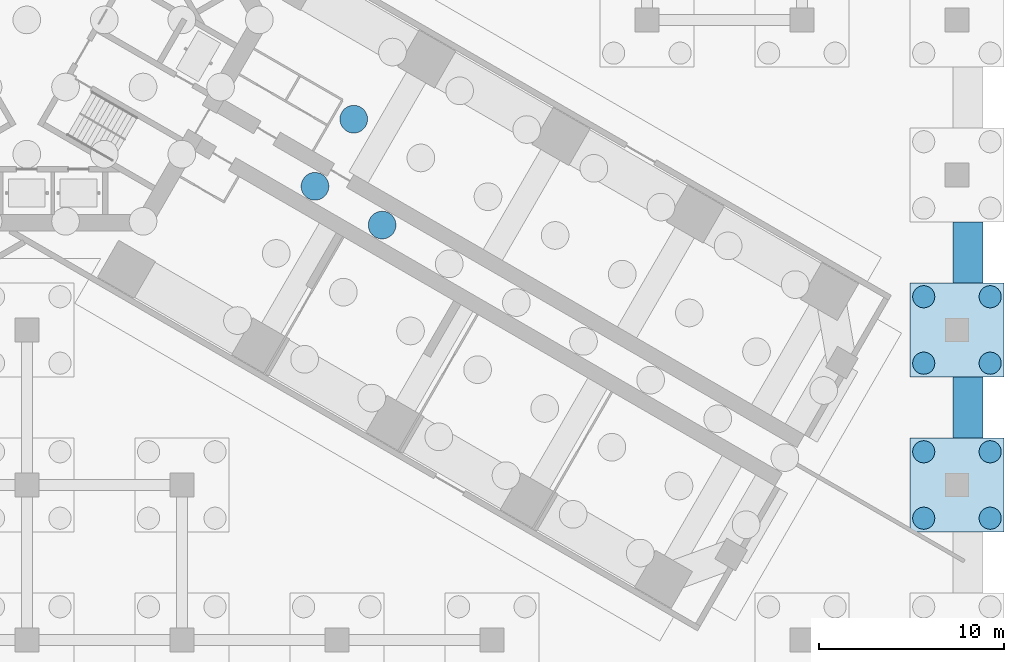
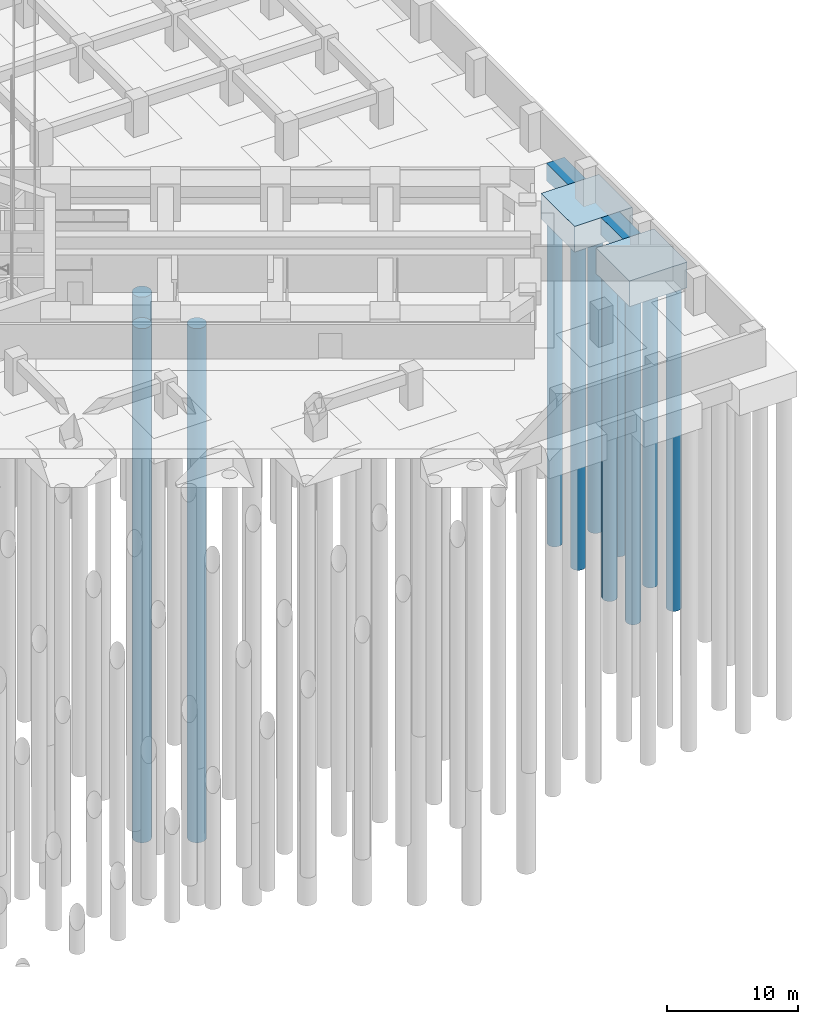
# One storey, part 25 of 73: 11 piles, 4 footings.
"""IFC4 building model written with IfcOpenShell, lengths in metres."""

from ifc_helpers import new_model, si_unit, direction, frame, origin, origin_2d, place, context, subcontext, project, spatial, polyline, circle, outline, extrude, material, material_profile, profile_set, type_object, element, save


model = new_model("IFC4")

# Units and contexts
model_context = context("Model", 3, precision=1e-05, world=origin(), true_north=direction((0.0, 1.0)))
body_context = subcontext(model_context, "Body", "Model", "MODEL_VIEW")
ifc_project = project(units=[si_unit("LENGTHUNIT", "METRE"), si_unit("AREAUNIT", "SQUARE_METRE"), si_unit("VOLUMEUNIT", "CUBIC_METRE"), si_unit("PLANEANGLEUNIT", "RADIAN"), si_unit("MASSUNIT", "GRAM", prefix="KILO")], contexts=[model_context])

# Site, building, storey
site_placement = place(None, origin())
site = spatial("IfcSite", under=ifc_project, at=site_placement, CompositionType="ELEMENT")
building_placement = place(site_placement, origin())
building = spatial("IfcBuilding", under=site, at=building_placement, Name="Impinga Residences", CompositionType="ELEMENT")
storey_placement = place(building_placement, frame((0.0, 0.0, -10.5)))
storey = spatial("IfcBuildingStorey", under=building, at=storey_placement, Name="B3", CompositionType="ELEMENT", Elevation=-10.5)

# Piles
ifc_material_1 = material(Name="Concrete C35/45", Category="concrete")
ifc_material_profile_1 = material_profile(ifc_material_1, circle(Radius=0.75, at=origin_2d()), Name="D1500")
ifc_profile_set_1 = profile_set([ifc_material_profile_1], Name="Concrete C35/45")
pile_type_1 = type_object("IfcPileType", Name="BP1 bored pile D1500", PredefinedType="BORED", material=ifc_profile_set_1)
pile_1_placement = place(storey_placement, frame((19.253173828125, -11.11572265625, -4.0), z_axis=(0.0, 0.0, -1.0), x_axis=(1.0, 0.0, 0.0)))
element("IfcPile", 1, at=pile_1_placement, inside=storey, type_object=pile_type_1, Name="Raft pile BP1-058", PredefinedType="BORED", context=body_context, shape_type="SweptSolid", body=[
    extrude(outline(polyline([(0.75, 0.0), (0.746337890625, 0.073486328125), (0.735595703125, 0.146240234375), (0.7177734375, 0.2177734375), (0.69287109375, 0.287109375), (0.661376953125, 0.353515625), (0.62353515625, 0.416748046875), (0.579833984375, 0.475830078125), (0.5302734375, 0.5302734375), (0.475830078125, 0.579833984375), (0.416748046875, 0.62353515625), (0.353515625, 0.661376953125), (0.287109375, 0.69287109375), (0.2177734375, 0.7177734375), (0.146240234375, 0.735595703125), (0.073486328125, 0.746337890625), (0.0, 0.75), (-0.073486328125, 0.746337890625), (-0.146240234375, 0.735595703125), (-0.2177734375, 0.7177734375), (-0.287109375, 0.69287109375), (-0.353515625, 0.661376953125), (-0.416748046875, 0.62353515625), (-0.475830078125, 0.579833984375), (-0.5302734375, 0.5302734375), (-0.579833984375, 0.475830078125), (-0.62353515625, 0.416748046875), (-0.661376953125, 0.353515625), (-0.69287109375, 0.287109375), (-0.7177734375, 0.2177734375), (-0.735595703125, 0.146240234375), (-0.746337890625, 0.073486328125), (-0.75, 0.0), (-0.746337890625, -0.073486328125), (-0.735595703125, -0.146240234375), (-0.7177734375, -0.2177734375), (-0.69287109375, -0.287109375), (-0.661376953125, -0.353515625), (-0.62353515625, -0.416748046875), (-0.579833984375, -0.475830078125), (-0.5302734375, -0.5302734375), (-0.475830078125, -0.579833984375), (-0.416748046875, -0.62353515625), (-0.353515625, -0.661376953125), (-0.287109375, -0.69287109375), (-0.2177734375, -0.7177734375), (-0.146240234375, -0.735595703125), (-0.073486328125, -0.746337890625), (0.0, -0.75), (0.073486328125, -0.746337890625), (0.146240234375, -0.735595703125), (0.2177734375, -0.7177734375), (0.287109375, -0.69287109375), (0.353515625, -0.661376953125), (0.416748046875, -0.62353515625), (0.475830078125, -0.579833984375), (0.5302734375, -0.5302734375), (0.579833984375, -0.475830078125), (0.62353515625, -0.416748046875), (0.661376953125, -0.353515625), (0.69287109375, -0.287109375), (0.7177734375, -0.2177734375), (0.735595703125, -0.146240234375), (0.746337890625, -0.073486328125), (0.75, 0.0)])), origin(), (0.0, 0.0, 1.0), 48.0),
])
pile_2_placement = place(storey_placement, frame((15.61572265625, -9.015869140625, -4.0), z_axis=(0.0, 0.0, -1.0), x_axis=(1.0, 0.0, 0.0)))
element("IfcPile", 2, at=pile_2_placement, inside=storey, type_object=pile_type_1, Name="Raft pile BP1-068", PredefinedType="BORED", context=body_context, shape_type="SweptSolid", body=[
    extrude(outline(polyline([(0.75, 0.0), (0.746337890625, 0.073486328125), (0.735595703125, 0.146240234375), (0.7177734375, 0.2177734375), (0.69287109375, 0.287109375), (0.661376953125, 0.353515625), (0.62353515625, 0.416748046875), (0.579833984375, 0.475830078125), (0.5302734375, 0.5302734375), (0.475830078125, 0.579833984375), (0.416748046875, 0.62353515625), (0.353515625, 0.661376953125), (0.287109375, 0.69287109375), (0.2177734375, 0.7177734375), (0.146240234375, 0.735595703125), (0.073486328125, 0.746337890625), (0.0, 0.75), (-0.073486328125, 0.746337890625), (-0.146240234375, 0.735595703125), (-0.2177734375, 0.7177734375), (-0.287109375, 0.69287109375), (-0.353515625, 0.661376953125), (-0.416748046875, 0.62353515625), (-0.475830078125, 0.579833984375), (-0.5302734375, 0.5302734375), (-0.579833984375, 0.475830078125), (-0.62353515625, 0.416748046875), (-0.661376953125, 0.353515625), (-0.69287109375, 0.287109375), (-0.7177734375, 0.2177734375), (-0.735595703125, 0.146240234375), (-0.746337890625, 0.073486328125), (-0.75, 0.0), (-0.746337890625, -0.073486328125), (-0.735595703125, -0.146240234375), (-0.7177734375, -0.2177734375), (-0.69287109375, -0.287109375), (-0.661376953125, -0.353515625), (-0.62353515625, -0.416748046875), (-0.579833984375, -0.475830078125), (-0.5302734375, -0.5302734375), (-0.475830078125, -0.579833984375), (-0.416748046875, -0.62353515625), (-0.353515625, -0.661376953125), (-0.287109375, -0.69287109375), (-0.2177734375, -0.7177734375), (-0.146240234375, -0.735595703125), (-0.073486328125, -0.746337890625), (0.0, -0.75), (0.073486328125, -0.746337890625), (0.146240234375, -0.735595703125), (0.2177734375, -0.7177734375), (0.287109375, -0.69287109375), (0.353515625, -0.661376953125), (0.416748046875, -0.62353515625), (0.475830078125, -0.579833984375), (0.5302734375, -0.5302734375), (0.579833984375, -0.475830078125), (0.62353515625, -0.416748046875), (0.661376953125, -0.353515625), (0.69287109375, -0.287109375), (0.7177734375, -0.2177734375), (0.735595703125, -0.146240234375), (0.746337890625, -0.073486328125), (0.75, 0.0)])), origin(), (0.0, 0.0, 1.0), 48.0),
])
pile_3_placement = place(storey_placement, frame((17.7158203125, -5.37841796875, -4.0), z_axis=(0.0, 0.0, -1.0), x_axis=(1.0, 0.0, 0.0)))
element("IfcPile", 3, at=pile_3_placement, inside=storey, type_object=pile_type_1, Name="Raft pile BP1-081", PredefinedType="BORED", context=body_context, shape_type="SweptSolid", body=[
    extrude(outline(polyline([(0.75, 0.0), (0.746337890625, 0.073486328125), (0.735595703125, 0.146240234375), (0.7177734375, 0.2177734375), (0.69287109375, 0.287109375), (0.661376953125, 0.353515625), (0.62353515625, 0.416748046875), (0.579833984375, 0.475830078125), (0.5302734375, 0.5302734375), (0.475830078125, 0.579833984375), (0.416748046875, 0.62353515625), (0.353515625, 0.661376953125), (0.287109375, 0.69287109375), (0.2177734375, 0.7177734375), (0.146240234375, 0.735595703125), (0.073486328125, 0.746337890625), (0.0, 0.75), (-0.073486328125, 0.746337890625), (-0.146240234375, 0.735595703125), (-0.2177734375, 0.7177734375), (-0.287109375, 0.69287109375), (-0.353515625, 0.661376953125), (-0.416748046875, 0.62353515625), (-0.475830078125, 0.579833984375), (-0.5302734375, 0.5302734375), (-0.579833984375, 0.475830078125), (-0.62353515625, 0.416748046875), (-0.661376953125, 0.353515625), (-0.69287109375, 0.287109375), (-0.7177734375, 0.2177734375), (-0.735595703125, 0.146240234375), (-0.746337890625, 0.073486328125), (-0.75, 0.0), (-0.746337890625, -0.073486328125), (-0.735595703125, -0.146240234375), (-0.7177734375, -0.2177734375), (-0.69287109375, -0.287109375), (-0.661376953125, -0.353515625), (-0.62353515625, -0.416748046875), (-0.579833984375, -0.475830078125), (-0.5302734375, -0.5302734375), (-0.475830078125, -0.579833984375), (-0.416748046875, -0.62353515625), (-0.353515625, -0.661376953125), (-0.287109375, -0.69287109375), (-0.2177734375, -0.7177734375), (-0.146240234375, -0.735595703125), (-0.073486328125, -0.746337890625), (0.0, -0.75), (0.073486328125, -0.746337890625), (0.146240234375, -0.735595703125), (0.2177734375, -0.7177734375), (0.287109375, -0.69287109375), (0.353515625, -0.661376953125), (0.416748046875, -0.62353515625), (0.475830078125, -0.579833984375), (0.5302734375, -0.5302734375), (0.579833984375, -0.475830078125), (0.62353515625, -0.416748046875), (0.661376953125, -0.353515625), (0.69287109375, -0.287109375), (0.7177734375, -0.2177734375), (0.735595703125, -0.146240234375), (0.746337890625, -0.073486328125), (0.75, 0.0)])), origin(), (0.0, 0.0, 1.0), 48.0),
])
ifc_material_profile_2 = material_profile(ifc_material_1, circle(Radius=0.60009765625, at=origin_2d()), Name="D1200")
ifc_profile_set_2 = profile_set([ifc_material_profile_2], Name="Concrete C35/45")
pile_type_2 = type_object("IfcPileType", Name="BP2 bored pile D1200", PredefinedType="BORED", material=ifc_profile_set_2)
pile_4_placement = place(storey_placement, frame((48.60009765625, -27.0, -2.39990234375), z_axis=(0.0, 0.0, -1.0), x_axis=(1.0, 0.0, 0.0)))
element("IfcPile", 4, at=pile_4_placement, inside=storey, type_object=pile_type_2, Name="Cap pile BP2 13/C-1", PredefinedType="BORED", context=body_context, shape_type="SweptSolid", body=[
    extrude(outline(polyline([(0.60009765625, 0.0), (0.59716796875, 0.058837890625), (0.58837890625, 0.116943359375), (0.57421875, 0.174072265625), (0.554443359375, 0.2294921875), (0.529052734375, 0.282958984375), (0.498779296875, 0.333251953125), (0.4638671875, 0.380615234375), (0.42431640625, 0.42431640625), (0.380615234375, 0.4638671875), (0.333251953125, 0.498779296875), (0.282958984375, 0.529052734375), (0.2294921875, 0.554443359375), (0.174072265625, 0.57421875), (0.116943359375, 0.58837890625), (0.058837890625, 0.59716796875), (0.0, 0.60009765625), (-0.058837890625, 0.59716796875), (-0.116943359375, 0.58837890625), (-0.174072265625, 0.57421875), (-0.2294921875, 0.554443359375), (-0.282958984375, 0.529052734375), (-0.333251953125, 0.498779296875), (-0.380615234375, 0.4638671875), (-0.42431640625, 0.42431640625), (-0.4638671875, 0.380615234375), (-0.498779296875, 0.333251953125), (-0.529052734375, 0.282958984375), (-0.554443359375, 0.2294921875), (-0.57421875, 0.174072265625), (-0.58837890625, 0.116943359375), (-0.59716796875, 0.058837890625), (-0.60009765625, 0.0), (-0.59716796875, -0.058837890625), (-0.58837890625, -0.116943359375), (-0.57421875, -0.174072265625), (-0.554443359375, -0.2294921875), (-0.529052734375, -0.282958984375), (-0.498779296875, -0.333251953125), (-0.4638671875, -0.380615234375), (-0.42431640625, -0.42431640625), (-0.380615234375, -0.4638671875), (-0.333251953125, -0.498779296875), (-0.282958984375, -0.529052734375), (-0.2294921875, -0.554443359375), (-0.174072265625, -0.57421875), (-0.116943359375, -0.58837890625), (-0.058837890625, -0.59716796875), (0.0, -0.60009765625), (0.058837890625, -0.59716796875), (0.116943359375, -0.58837890625), (0.174072265625, -0.57421875), (0.2294921875, -0.554443359375), (0.282958984375, -0.529052734375), (0.333251953125, -0.498779296875), (0.380615234375, -0.4638671875), (0.42431640625, -0.42431640625), (0.4638671875, -0.380615234375), (0.498779296875, -0.333251953125), (0.529052734375, -0.282958984375), (0.554443359375, -0.2294921875), (0.57421875, -0.174072265625), (0.58837890625, -0.116943359375), (0.59716796875, -0.058837890625), (0.60009765625, 0.0)])), origin(), (0.0, 0.0, 1.0), 30.0),
])
pile_5_placement = place(storey_placement, frame((52.199951171875, -27.0, -2.39990234375), z_axis=(0.0, 0.0, -1.0), x_axis=(1.0, 0.0, 0.0)))
element("IfcPile", 5, at=pile_5_placement, inside=storey, type_object=pile_type_2, Name="Cap pile BP2 13/C-2", PredefinedType="BORED", context=body_context, shape_type="SweptSolid", body=[
    extrude(outline(polyline([(0.60009765625, 0.0), (0.59716796875, 0.058837890625), (0.58837890625, 0.116943359375), (0.57421875, 0.174072265625), (0.554443359375, 0.2294921875), (0.529052734375, 0.282958984375), (0.498779296875, 0.333251953125), (0.4638671875, 0.380615234375), (0.42431640625, 0.42431640625), (0.380615234375, 0.4638671875), (0.333251953125, 0.498779296875), (0.282958984375, 0.529052734375), (0.2294921875, 0.554443359375), (0.174072265625, 0.57421875), (0.116943359375, 0.58837890625), (0.058837890625, 0.59716796875), (0.0, 0.60009765625), (-0.058837890625, 0.59716796875), (-0.116943359375, 0.58837890625), (-0.174072265625, 0.57421875), (-0.2294921875, 0.554443359375), (-0.282958984375, 0.529052734375), (-0.333251953125, 0.498779296875), (-0.380615234375, 0.4638671875), (-0.42431640625, 0.42431640625), (-0.4638671875, 0.380615234375), (-0.498779296875, 0.333251953125), (-0.529052734375, 0.282958984375), (-0.554443359375, 0.2294921875), (-0.57421875, 0.174072265625), (-0.58837890625, 0.116943359375), (-0.59716796875, 0.058837890625), (-0.60009765625, 0.0), (-0.59716796875, -0.058837890625), (-0.58837890625, -0.116943359375), (-0.57421875, -0.174072265625), (-0.554443359375, -0.2294921875), (-0.529052734375, -0.282958984375), (-0.498779296875, -0.333251953125), (-0.4638671875, -0.380615234375), (-0.42431640625, -0.42431640625), (-0.380615234375, -0.4638671875), (-0.333251953125, -0.498779296875), (-0.282958984375, -0.529052734375), (-0.2294921875, -0.554443359375), (-0.174072265625, -0.57421875), (-0.116943359375, -0.58837890625), (-0.058837890625, -0.59716796875), (0.0, -0.60009765625), (0.058837890625, -0.59716796875), (0.116943359375, -0.58837890625), (0.174072265625, -0.57421875), (0.2294921875, -0.554443359375), (0.282958984375, -0.529052734375), (0.333251953125, -0.498779296875), (0.380615234375, -0.4638671875), (0.42431640625, -0.42431640625), (0.4638671875, -0.380615234375), (0.498779296875, -0.333251953125), (0.529052734375, -0.282958984375), (0.554443359375, -0.2294921875), (0.57421875, -0.174072265625), (0.58837890625, -0.116943359375), (0.59716796875, -0.058837890625), (0.60009765625, 0.0)])), origin(), (0.0, 0.0, 1.0), 30.0),
])
pile_6_placement = place(storey_placement, frame((52.199951171875, -23.39990234375, -2.39990234375), z_axis=(0.0, 0.0, -1.0), x_axis=(1.0, 0.0, 0.0)))
element("IfcPile", 6, at=pile_6_placement, inside=storey, type_object=pile_type_2, Name="Cap pile BP2 13/C-3", PredefinedType="BORED", context=body_context, shape_type="SweptSolid", body=[
    extrude(outline(polyline([(0.60009765625, 0.0), (0.59716796875, 0.058837890625), (0.58837890625, 0.116943359375), (0.57421875, 0.174072265625), (0.554443359375, 0.2294921875), (0.529052734375, 0.282958984375), (0.498779296875, 0.333251953125), (0.4638671875, 0.380615234375), (0.42431640625, 0.42431640625), (0.380615234375, 0.4638671875), (0.333251953125, 0.498779296875), (0.282958984375, 0.529052734375), (0.2294921875, 0.554443359375), (0.174072265625, 0.57421875), (0.116943359375, 0.58837890625), (0.058837890625, 0.59716796875), (0.0, 0.60009765625), (-0.058837890625, 0.59716796875), (-0.116943359375, 0.58837890625), (-0.174072265625, 0.57421875), (-0.2294921875, 0.554443359375), (-0.282958984375, 0.529052734375), (-0.333251953125, 0.498779296875), (-0.380615234375, 0.4638671875), (-0.42431640625, 0.42431640625), (-0.4638671875, 0.380615234375), (-0.498779296875, 0.333251953125), (-0.529052734375, 0.282958984375), (-0.554443359375, 0.2294921875), (-0.57421875, 0.174072265625), (-0.58837890625, 0.116943359375), (-0.59716796875, 0.058837890625), (-0.60009765625, 0.0), (-0.59716796875, -0.058837890625), (-0.58837890625, -0.116943359375), (-0.57421875, -0.174072265625), (-0.554443359375, -0.2294921875), (-0.529052734375, -0.282958984375), (-0.498779296875, -0.333251953125), (-0.4638671875, -0.380615234375), (-0.42431640625, -0.42431640625), (-0.380615234375, -0.4638671875), (-0.333251953125, -0.498779296875), (-0.282958984375, -0.529052734375), (-0.2294921875, -0.554443359375), (-0.174072265625, -0.57421875), (-0.116943359375, -0.58837890625), (-0.058837890625, -0.59716796875), (0.0, -0.60009765625), (0.058837890625, -0.59716796875), (0.116943359375, -0.58837890625), (0.174072265625, -0.57421875), (0.2294921875, -0.554443359375), (0.282958984375, -0.529052734375), (0.333251953125, -0.498779296875), (0.380615234375, -0.4638671875), (0.42431640625, -0.42431640625), (0.4638671875, -0.380615234375), (0.498779296875, -0.333251953125), (0.529052734375, -0.282958984375), (0.554443359375, -0.2294921875), (0.57421875, -0.174072265625), (0.58837890625, -0.116943359375), (0.59716796875, -0.058837890625), (0.60009765625, 0.0)])), origin(), (0.0, 0.0, 1.0), 30.0),
])
pile_7_placement = place(storey_placement, frame((48.60009765625, -23.39990234375, -2.39990234375), z_axis=(0.0, 0.0, -1.0), x_axis=(1.0, 0.0, 0.0)))
element("IfcPile", 7, at=pile_7_placement, inside=storey, type_object=pile_type_2, Name="Cap pile BP2 13/C-4", PredefinedType="BORED", context=body_context, shape_type="SweptSolid", body=[
    extrude(outline(polyline([(0.60009765625, 0.0), (0.59716796875, 0.058837890625), (0.58837890625, 0.116943359375), (0.57421875, 0.174072265625), (0.554443359375, 0.2294921875), (0.529052734375, 0.282958984375), (0.498779296875, 0.333251953125), (0.4638671875, 0.380615234375), (0.42431640625, 0.42431640625), (0.380615234375, 0.4638671875), (0.333251953125, 0.498779296875), (0.282958984375, 0.529052734375), (0.2294921875, 0.554443359375), (0.174072265625, 0.57421875), (0.116943359375, 0.58837890625), (0.058837890625, 0.59716796875), (0.0, 0.60009765625), (-0.058837890625, 0.59716796875), (-0.116943359375, 0.58837890625), (-0.174072265625, 0.57421875), (-0.2294921875, 0.554443359375), (-0.282958984375, 0.529052734375), (-0.333251953125, 0.498779296875), (-0.380615234375, 0.4638671875), (-0.42431640625, 0.42431640625), (-0.4638671875, 0.380615234375), (-0.498779296875, 0.333251953125), (-0.529052734375, 0.282958984375), (-0.554443359375, 0.2294921875), (-0.57421875, 0.174072265625), (-0.58837890625, 0.116943359375), (-0.59716796875, 0.058837890625), (-0.60009765625, 0.0), (-0.59716796875, -0.058837890625), (-0.58837890625, -0.116943359375), (-0.57421875, -0.174072265625), (-0.554443359375, -0.2294921875), (-0.529052734375, -0.282958984375), (-0.498779296875, -0.333251953125), (-0.4638671875, -0.380615234375), (-0.42431640625, -0.42431640625), (-0.380615234375, -0.4638671875), (-0.333251953125, -0.498779296875), (-0.282958984375, -0.529052734375), (-0.2294921875, -0.554443359375), (-0.174072265625, -0.57421875), (-0.116943359375, -0.58837890625), (-0.058837890625, -0.59716796875), (0.0, -0.60009765625), (0.058837890625, -0.59716796875), (0.116943359375, -0.58837890625), (0.174072265625, -0.57421875), (0.2294921875, -0.554443359375), (0.282958984375, -0.529052734375), (0.333251953125, -0.498779296875), (0.380615234375, -0.4638671875), (0.42431640625, -0.42431640625), (0.4638671875, -0.380615234375), (0.498779296875, -0.333251953125), (0.529052734375, -0.282958984375), (0.554443359375, -0.2294921875), (0.57421875, -0.174072265625), (0.58837890625, -0.116943359375), (0.59716796875, -0.058837890625), (0.60009765625, 0.0)])), origin(), (0.0, 0.0, 1.0), 30.0),
])
pile_8_placement = place(storey_placement, frame((48.60009765625, -18.60009765625, -2.39990234375), z_axis=(0.0, 0.0, -1.0), x_axis=(1.0, 0.0, 0.0)))
element("IfcPile", 8, at=pile_8_placement, inside=storey, type_object=pile_type_2, Name="Cap pile BP2 13/D-1", PredefinedType="BORED", context=body_context, shape_type="SweptSolid", body=[
    extrude(outline(polyline([(0.60009765625, 0.0), (0.59716796875, 0.058837890625), (0.58837890625, 0.116943359375), (0.57421875, 0.174072265625), (0.554443359375, 0.2294921875), (0.529052734375, 0.282958984375), (0.498779296875, 0.333251953125), (0.4638671875, 0.380615234375), (0.42431640625, 0.42431640625), (0.380615234375, 0.4638671875), (0.333251953125, 0.498779296875), (0.282958984375, 0.529052734375), (0.2294921875, 0.554443359375), (0.174072265625, 0.57421875), (0.116943359375, 0.58837890625), (0.058837890625, 0.59716796875), (0.0, 0.60009765625), (-0.058837890625, 0.59716796875), (-0.116943359375, 0.58837890625), (-0.174072265625, 0.57421875), (-0.2294921875, 0.554443359375), (-0.282958984375, 0.529052734375), (-0.333251953125, 0.498779296875), (-0.380615234375, 0.4638671875), (-0.42431640625, 0.42431640625), (-0.4638671875, 0.380615234375), (-0.498779296875, 0.333251953125), (-0.529052734375, 0.282958984375), (-0.554443359375, 0.2294921875), (-0.57421875, 0.174072265625), (-0.58837890625, 0.116943359375), (-0.59716796875, 0.058837890625), (-0.60009765625, 0.0), (-0.59716796875, -0.058837890625), (-0.58837890625, -0.116943359375), (-0.57421875, -0.174072265625), (-0.554443359375, -0.2294921875), (-0.529052734375, -0.282958984375), (-0.498779296875, -0.333251953125), (-0.4638671875, -0.380615234375), (-0.42431640625, -0.42431640625), (-0.380615234375, -0.4638671875), (-0.333251953125, -0.498779296875), (-0.282958984375, -0.529052734375), (-0.2294921875, -0.554443359375), (-0.174072265625, -0.57421875), (-0.116943359375, -0.58837890625), (-0.058837890625, -0.59716796875), (0.0, -0.60009765625), (0.058837890625, -0.59716796875), (0.116943359375, -0.58837890625), (0.174072265625, -0.57421875), (0.2294921875, -0.554443359375), (0.282958984375, -0.529052734375), (0.333251953125, -0.498779296875), (0.380615234375, -0.4638671875), (0.42431640625, -0.42431640625), (0.4638671875, -0.380615234375), (0.498779296875, -0.333251953125), (0.529052734375, -0.282958984375), (0.554443359375, -0.2294921875), (0.57421875, -0.174072265625), (0.58837890625, -0.116943359375), (0.59716796875, -0.058837890625), (0.60009765625, 0.0)])), origin(), (0.0, 0.0, 1.0), 30.0),
])
pile_9_placement = place(storey_placement, frame((52.199951171875, -18.60009765625, -2.39990234375), z_axis=(0.0, 0.0, -1.0), x_axis=(1.0, 0.0, 0.0)))
element("IfcPile", 9, at=pile_9_placement, inside=storey, type_object=pile_type_2, Name="Cap pile BP2 13/D-2", PredefinedType="BORED", context=body_context, shape_type="SweptSolid", body=[
    extrude(outline(polyline([(0.60009765625, 0.0), (0.59716796875, 0.058837890625), (0.58837890625, 0.116943359375), (0.57421875, 0.174072265625), (0.554443359375, 0.2294921875), (0.529052734375, 0.282958984375), (0.498779296875, 0.333251953125), (0.4638671875, 0.380615234375), (0.42431640625, 0.42431640625), (0.380615234375, 0.4638671875), (0.333251953125, 0.498779296875), (0.282958984375, 0.529052734375), (0.2294921875, 0.554443359375), (0.174072265625, 0.57421875), (0.116943359375, 0.58837890625), (0.058837890625, 0.59716796875), (0.0, 0.60009765625), (-0.058837890625, 0.59716796875), (-0.116943359375, 0.58837890625), (-0.174072265625, 0.57421875), (-0.2294921875, 0.554443359375), (-0.282958984375, 0.529052734375), (-0.333251953125, 0.498779296875), (-0.380615234375, 0.4638671875), (-0.42431640625, 0.42431640625), (-0.4638671875, 0.380615234375), (-0.498779296875, 0.333251953125), (-0.529052734375, 0.282958984375), (-0.554443359375, 0.2294921875), (-0.57421875, 0.174072265625), (-0.58837890625, 0.116943359375), (-0.59716796875, 0.058837890625), (-0.60009765625, 0.0), (-0.59716796875, -0.058837890625), (-0.58837890625, -0.116943359375), (-0.57421875, -0.174072265625), (-0.554443359375, -0.2294921875), (-0.529052734375, -0.282958984375), (-0.498779296875, -0.333251953125), (-0.4638671875, -0.380615234375), (-0.42431640625, -0.42431640625), (-0.380615234375, -0.4638671875), (-0.333251953125, -0.498779296875), (-0.282958984375, -0.529052734375), (-0.2294921875, -0.554443359375), (-0.174072265625, -0.57421875), (-0.116943359375, -0.58837890625), (-0.058837890625, -0.59716796875), (0.0, -0.60009765625), (0.058837890625, -0.59716796875), (0.116943359375, -0.58837890625), (0.174072265625, -0.57421875), (0.2294921875, -0.554443359375), (0.282958984375, -0.529052734375), (0.333251953125, -0.498779296875), (0.380615234375, -0.4638671875), (0.42431640625, -0.42431640625), (0.4638671875, -0.380615234375), (0.498779296875, -0.333251953125), (0.529052734375, -0.282958984375), (0.554443359375, -0.2294921875), (0.57421875, -0.174072265625), (0.58837890625, -0.116943359375), (0.59716796875, -0.058837890625), (0.60009765625, 0.0)])), origin(), (0.0, 0.0, 1.0), 30.0),
])
pile_10_placement = place(storey_placement, frame((52.199951171875, -15.0, -2.39990234375), z_axis=(0.0, 0.0, -1.0), x_axis=(1.0, 0.0, 0.0)))
element("IfcPile", 10, at=pile_10_placement, inside=storey, type_object=pile_type_2, Name="Cap pile BP2 13/D-3", PredefinedType="BORED", context=body_context, shape_type="SweptSolid", body=[
    extrude(outline(polyline([(0.60009765625, 0.0), (0.59716796875, 0.058837890625), (0.58837890625, 0.116943359375), (0.57421875, 0.174072265625), (0.554443359375, 0.2294921875), (0.529052734375, 0.282958984375), (0.498779296875, 0.333251953125), (0.4638671875, 0.380615234375), (0.42431640625, 0.42431640625), (0.380615234375, 0.4638671875), (0.333251953125, 0.498779296875), (0.282958984375, 0.529052734375), (0.2294921875, 0.554443359375), (0.174072265625, 0.57421875), (0.116943359375, 0.58837890625), (0.058837890625, 0.59716796875), (0.0, 0.60009765625), (-0.058837890625, 0.59716796875), (-0.116943359375, 0.58837890625), (-0.174072265625, 0.57421875), (-0.2294921875, 0.554443359375), (-0.282958984375, 0.529052734375), (-0.333251953125, 0.498779296875), (-0.380615234375, 0.4638671875), (-0.42431640625, 0.42431640625), (-0.4638671875, 0.380615234375), (-0.498779296875, 0.333251953125), (-0.529052734375, 0.282958984375), (-0.554443359375, 0.2294921875), (-0.57421875, 0.174072265625), (-0.58837890625, 0.116943359375), (-0.59716796875, 0.058837890625), (-0.60009765625, 0.0), (-0.59716796875, -0.058837890625), (-0.58837890625, -0.116943359375), (-0.57421875, -0.174072265625), (-0.554443359375, -0.2294921875), (-0.529052734375, -0.282958984375), (-0.498779296875, -0.333251953125), (-0.4638671875, -0.380615234375), (-0.42431640625, -0.42431640625), (-0.380615234375, -0.4638671875), (-0.333251953125, -0.498779296875), (-0.282958984375, -0.529052734375), (-0.2294921875, -0.554443359375), (-0.174072265625, -0.57421875), (-0.116943359375, -0.58837890625), (-0.058837890625, -0.59716796875), (0.0, -0.60009765625), (0.058837890625, -0.59716796875), (0.116943359375, -0.58837890625), (0.174072265625, -0.57421875), (0.2294921875, -0.554443359375), (0.282958984375, -0.529052734375), (0.333251953125, -0.498779296875), (0.380615234375, -0.4638671875), (0.42431640625, -0.42431640625), (0.4638671875, -0.380615234375), (0.498779296875, -0.333251953125), (0.529052734375, -0.282958984375), (0.554443359375, -0.2294921875), (0.57421875, -0.174072265625), (0.58837890625, -0.116943359375), (0.59716796875, -0.058837890625), (0.60009765625, 0.0)])), origin(), (0.0, 0.0, 1.0), 30.0),
])
pile_11_placement = place(storey_placement, frame((48.60009765625, -15.0, -2.39990234375), z_axis=(0.0, 0.0, -1.0), x_axis=(1.0, 0.0, 0.0)))
element("IfcPile", 11, at=pile_11_placement, inside=storey, type_object=pile_type_2, Name="Cap pile BP2 13/D-4", PredefinedType="BORED", context=body_context, shape_type="SweptSolid", body=[
    extrude(outline(polyline([(0.60009765625, 0.0), (0.59716796875, 0.058837890625), (0.58837890625, 0.116943359375), (0.57421875, 0.174072265625), (0.554443359375, 0.2294921875), (0.529052734375, 0.282958984375), (0.498779296875, 0.333251953125), (0.4638671875, 0.380615234375), (0.42431640625, 0.42431640625), (0.380615234375, 0.4638671875), (0.333251953125, 0.498779296875), (0.282958984375, 0.529052734375), (0.2294921875, 0.554443359375), (0.174072265625, 0.57421875), (0.116943359375, 0.58837890625), (0.058837890625, 0.59716796875), (0.0, 0.60009765625), (-0.058837890625, 0.59716796875), (-0.116943359375, 0.58837890625), (-0.174072265625, 0.57421875), (-0.2294921875, 0.554443359375), (-0.282958984375, 0.529052734375), (-0.333251953125, 0.498779296875), (-0.380615234375, 0.4638671875), (-0.42431640625, 0.42431640625), (-0.4638671875, 0.380615234375), (-0.498779296875, 0.333251953125), (-0.529052734375, 0.282958984375), (-0.554443359375, 0.2294921875), (-0.57421875, 0.174072265625), (-0.58837890625, 0.116943359375), (-0.59716796875, 0.058837890625), (-0.60009765625, 0.0), (-0.59716796875, -0.058837890625), (-0.58837890625, -0.116943359375), (-0.57421875, -0.174072265625), (-0.554443359375, -0.2294921875), (-0.529052734375, -0.282958984375), (-0.498779296875, -0.333251953125), (-0.4638671875, -0.380615234375), (-0.42431640625, -0.42431640625), (-0.380615234375, -0.4638671875), (-0.333251953125, -0.498779296875), (-0.282958984375, -0.529052734375), (-0.2294921875, -0.554443359375), (-0.174072265625, -0.57421875), (-0.116943359375, -0.58837890625), (-0.058837890625, -0.59716796875), (0.0, -0.60009765625), (0.058837890625, -0.59716796875), (0.116943359375, -0.58837890625), (0.174072265625, -0.57421875), (0.2294921875, -0.554443359375), (0.282958984375, -0.529052734375), (0.333251953125, -0.498779296875), (0.380615234375, -0.4638671875), (0.42431640625, -0.42431640625), (0.4638671875, -0.380615234375), (0.498779296875, -0.333251953125), (0.529052734375, -0.282958984375), (0.554443359375, -0.2294921875), (0.57421875, -0.174072265625), (0.58837890625, -0.116943359375), (0.59716796875, -0.058837890625), (0.60009765625, 0.0)])), origin(), (0.0, 0.0, 1.0), 30.0),
])

# Footings
ifc_material_2 = material(Name="Concrete C45/55", Category="concrete")
footing_type_1 = type_object("IfcFootingType", Name="PC4 four-pile cap 5100 square 2400 deep", PredefinedType="PILE_CAP", material=ifc_material_2)
footing_1_placement = place(storey_placement, frame((0.0, 0.0, -2.39990234375)))
element("IfcFooting", 12, at=footing_1_placement, inside=storey, type_object=footing_type_1, Name="Pile cap PC4 13/C", PredefinedType="PILE_CAP", context=body_context, shape_type="SweptSolid", body=[
    extrude(outline(polyline([(52.949951171875, -27.75), (52.949951171875, -22.64990234375), (47.85009765625, -22.64990234375), (47.85009765625, -27.75), (52.949951171875, -27.75)])), origin(), (0.0, 0.0, 1.0), 2.39990234375),
])
footing_2_placement = place(storey_placement, frame((0.0, 0.0, -2.39990234375)))
element("IfcFooting", 13, at=footing_2_placement, inside=storey, type_object=footing_type_1, Name="Pile cap PC4 13/D", PredefinedType="PILE_CAP", context=body_context, shape_type="SweptSolid", body=[
    extrude(outline(polyline([(52.949951171875, -19.35009765625), (52.949951171875, -14.25), (47.85009765625, -14.25), (47.85009765625, -19.35009765625), (52.949951171875, -19.35009765625)])), origin(), (0.0, 0.0, 1.0), 2.39990234375),
])
footing_type_2 = type_object("IfcFootingType", Name="SF1 strip footing 1600 wide 1600 deep", PredefinedType="STRIP_FOOTING", material=ifc_material_2)
footing_3_placement = place(storey_placement, frame((0.0, 0.0, -1.60009765625)))
element("IfcFooting", 14, at=footing_3_placement, inside=storey, type_object=footing_type_2, Name="Strip footing SF1 E 8", PredefinedType="STRIP_FOOTING", context=body_context, shape_type="SweptSolid", body=[
    extrude(outline(polyline([(51.800048828125, -14.25), (50.199951171875, -14.25), (50.199951171875, -10.949951171875), (51.800048828125, -10.949951171875), (51.800048828125, -14.25)])), origin(), (0.0, 0.0, 1.0), 1.60009765625),
])
footing_4_placement = place(storey_placement, frame((0.0, 0.0, -1.60009765625)))
element("IfcFooting", 15, at=footing_4_placement, inside=storey, type_object=footing_type_2, Name="Strip footing SF1 E 9", PredefinedType="STRIP_FOOTING", context=body_context, shape_type="SweptSolid", body=[
    extrude(outline(polyline([(51.800048828125, -22.64990234375), (50.199951171875, -22.64990234375), (50.199951171875, -19.35009765625), (51.800048828125, -19.35009765625), (51.800048828125, -22.64990234375)])), origin(), (0.0, 0.0, 1.0), 1.60009765625),
])

save(model, "model.ifc")
